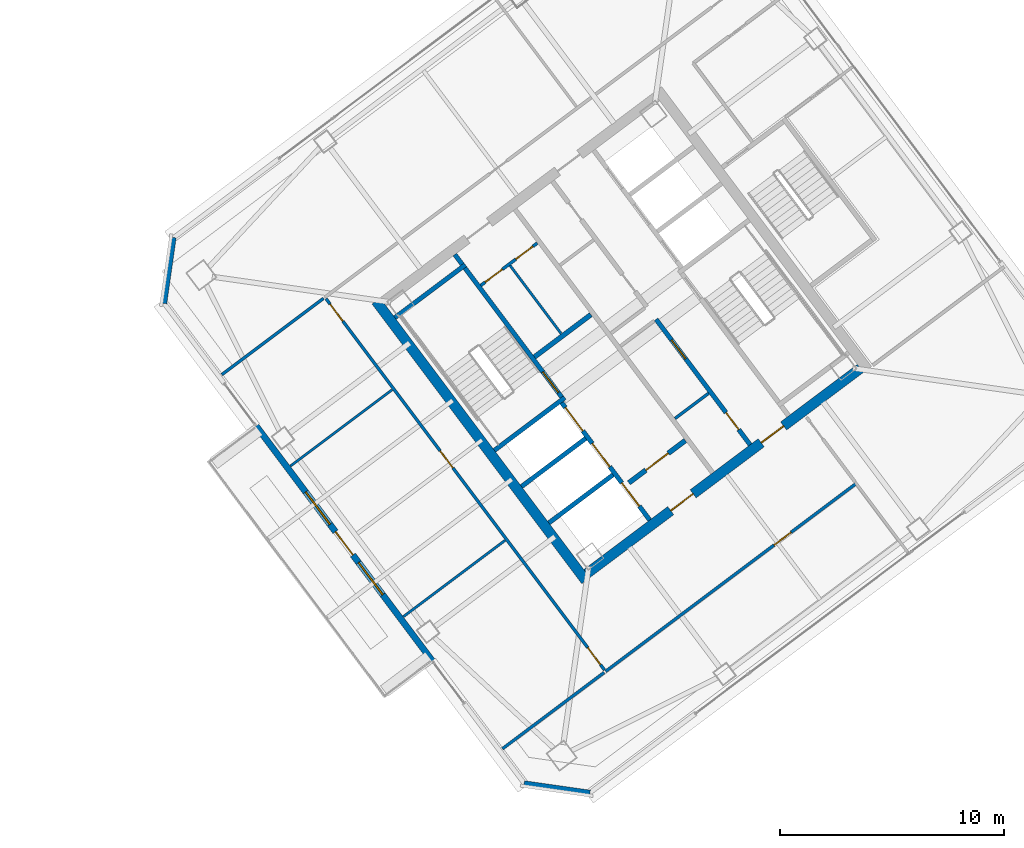
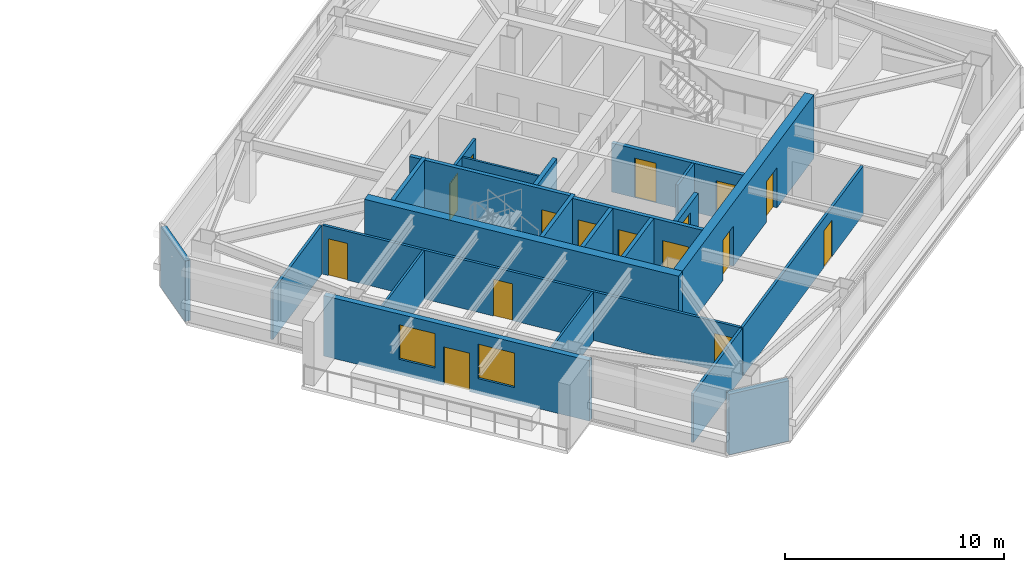
# One storey, part 31 of 39: 23 walls, 16 doors, 2 windows, 18 openings.
"""IFC4 building model written with IfcOpenShell, lengths in metres."""

from ifc_helpers import new_model, si_unit, direction, frame, frame_2d, origin, place, context, subcontext, project, spatial, rectangle, extrude, material, layer, layer_set, type_object, element, fill, save


model = new_model("IFC4")

# Units and contexts
model_context = context("Model", 3, precision=1e-05, world=origin(), true_north=direction((0.0, 1.0)))
body_context = subcontext(model_context, "Body", "Model", "MODEL_VIEW")
ifc_project = project(units=[si_unit("LENGTHUNIT", "METRE"), si_unit("AREAUNIT", "SQUARE_METRE"), si_unit("VOLUMEUNIT", "CUBIC_METRE"), si_unit("PLANEANGLEUNIT", "RADIAN"), si_unit("MASSUNIT", "GRAM", prefix="KILO")], contexts=[model_context])

# Site, building, storey
site_placement = place(None, origin())
site = spatial("IfcSite", under=ifc_project, at=site_placement, CompositionType="ELEMENT")
building_placement = place(site_placement, origin())
building = spatial("IfcBuilding", under=site, at=building_placement, Name="Tashvorn Skyway Center", CompositionType="ELEMENT")
storey_placement = place(building_placement, frame((0.0, 0.0, 225.5)))
storey = spatial("IfcBuildingStorey", under=building, at=storey_placement, Name="L61", CompositionType="ELEMENT", Elevation=225.5)

# Wall
ifc_material_1 = material(Name="Concrete C50/60", Category="concrete")
ifc_layer_1 = layer(ifc_material_1, 0.449951171875)
ifc_layer_set_1 = layer_set([ifc_layer_1], Name="Concrete C50/60")
wall_type_1 = type_object("IfcWallType", Name="WALL-CORE-450", PredefinedType="SHEAR", material=ifc_layer_set_1)
wall_1_placement = place(storey_placement, frame((112.39599609375, 21.047119140625, 0.0), z_axis=(0.0, 0.0, 1.0), x_axis=(-0.600005007985, 0.799996243986, 0.0)))
element("IfcWall", 1, at=wall_1_placement, inside=storey, type_object=wall_type_1, Name="Tower 2 L61 West Core Shear Wall", PredefinedType="SHEAR", context=body_context, shape_type="SweptSolid", body=[
    extrude(rectangle(XDim=15.60009765625, YDim=0.449951171875, at=frame_2d((7.800048828125, 0.0))), origin(), (0.0, 0.0, 1.0), 3.550048828125),
])

# Wall, openings, doors
wall_2_placement = place(storey_placement, frame((124.64892578125, 30.51806640625, 0.0), z_axis=(0.0, 0.0, 1.0), x_axis=(-0.8, -0.6, 0.0)))
wall_2 = element("IfcWall", 2, at=wall_2_placement, inside=storey, type_object=wall_type_1, Name="Tower 2 L61 South Core Shear Wall", PredefinedType="SHEAR", context=body_context, shape_type="SweptSolid", body=[
    extrude(rectangle(XDim=15.260009765625, YDim=0.449951171875, at=frame_2d((7.6298828125, 0.0))), origin(), (0.0, 0.0, 1.0), 3.550048828125),
])
opening_1_placement = place(wall_2_placement, frame((9.330078125, 0.0, 0.0)))
opening_1 = element("IfcOpeningElement", 3, at=opening_1_placement, cuts=wall_2, Name="Opening D-FFL-1250", PredefinedType="OPENING", context=body_context, shape_type="SweptSolid", body=[
    extrude(rectangle(XDim=1.25, YDim=2.25, at=frame_2d((0.625, 1.125))), frame((0.0, 0.23486328125, 0.0), z_axis=(0.0, -1.0, 0.0), x_axis=(1.0, 0.0, 0.0)), (0.0, 0.0, 1.0), 0.469970703125),
])
opening_2_placement = place(wall_2_placement, frame((4.280029296875, 0.0, 0.0)))
opening_2 = element("IfcOpeningElement", 4, at=opening_2_placement, cuts=wall_2, Name="Opening D-FFL-1250", PredefinedType="OPENING", context=body_context, shape_type="SweptSolid", body=[
    extrude(rectangle(XDim=1.25, YDim=2.25, at=frame_2d((0.625, 1.125))), frame((0.0, 0.23486328125, 0.0), z_axis=(0.0, -1.0, 0.0), x_axis=(1.0, 0.0, 0.0)), (0.0, 0.0, 1.0), 0.469970703125),
])
ifc_material_2 = material(Name="Hollow galvanized steel fire door assembly", Category="steel")
door_type_1 = type_object("IfcDoorType", Name="DOOR-FFL-1250", OperationType="NOTDEFINED", PredefinedType="DOOR", material=ifc_material_2)
door_1_placement = place(opening_1_placement, origin())
door_1 = element("IfcDoor", 5, at=door_1_placement, inside=storey, type_object=door_type_1, Name="Tower 2 L61 Core South Firefighting Exit Door", OperationType="SINGLE_SWING_LEFT", OverallHeight=2.25, OverallWidth=1.25, PredefinedType="DOOR", context=body_context, shape_type="SweptSolid", body=[
    extrude(rectangle(XDim=1.25, YDim=2.25, at=frame_2d((0.625, 1.125))), frame((0.0, 0.02490234375, 0.0), z_axis=(0.0, -1.0, 0.0), x_axis=(1.0, 0.0, 0.0)), (0.0, 0.0, 1.0), 0.050048828125),
])
fill(opening_1, door_1)
door_2_placement = place(opening_2_placement, origin())
door_2 = element("IfcDoor", 6, at=door_2_placement, inside=storey, type_object=door_type_1, Name="Tower 2 L61 Core South Lift Lobby Door", OperationType="SINGLE_SWING_RIGHT", OverallHeight=2.25, OverallWidth=1.25, PredefinedType="DOOR", context=body_context, shape_type="SweptSolid", body=[
    extrude(rectangle(XDim=1.25, YDim=2.25, at=frame_2d((0.625, 1.125))), frame((0.0, 0.02490234375, 0.0), z_axis=(0.0, -1.0, 0.0), x_axis=(1.0, 0.0, 0.0)), (0.0, 0.0, 1.0), 0.050048828125),
])
fill(opening_2, door_2)

# Wall, openings, door, windows
ifc_material_3 = material(Name="Precast concrete C40/50", Category="concrete")
ifc_layer_2 = layer(ifc_material_3, 0.280029296875)
ifc_layer_set_2 = layer_set([ifc_layer_2], Name="Precast concrete C40/50")
wall_type_2 = type_object("IfcWallType", Name="WALL-EXT-280", PredefinedType="SOLIDWALL", material=ifc_layer_set_2)
wall_3_placement = place(storey_placement, frame((105.575927734375, 17.431884765625, 0.0), z_axis=(0.0, 0.0, 1.0), x_axis=(-0.599994081423, 0.800004438899, 0.0)))
wall_3 = element("IfcWall", 7, at=wall_3_placement, inside=storey, type_object=wall_type_2, Name="Tower 2 L61 West Sky Garden Loggia Wall", PredefinedType="SOLIDWALL", context=body_context, shape_type="SweptSolid", body=[
    extrude(rectangle(XDim=13.199951171875, YDim=0.280029296875, at=frame_2d((6.60009765625, 0.0))), origin(), (0.0, 0.0, 1.0), 3.3701171875),
])
opening_3_placement = place(wall_3_placement, frame((5.949951171875, 0.0, 0.0)))
opening_3 = element("IfcOpeningElement", 8, at=opening_3_placement, cuts=wall_3, Name="Opening D-TER-1300", PredefinedType="OPENING", context=body_context, shape_type="SweptSolid", body=[
    extrude(rectangle(XDim=1.300048828125, YDim=2.14990234375, at=frame_2d((0.64990234375, 1.074951171875))), frame((0.0, 0.14990234375, 0.0), z_axis=(0.0, -1.0, 0.0), x_axis=(1.0, 0.0, 0.0)), (0.0, 0.0, 1.0), 0.300048828125),
])
opening_4_placement = place(wall_3_placement, frame((3.73193359375, 0.0, 0.85009765625)))
opening_4 = element("IfcOpeningElement", 9, at=opening_4_placement, cuts=wall_3, Name="Opening WIN-1800", PredefinedType="OPENING", context=body_context, shape_type="SweptSolid", body=[
    extrude(rectangle(XDim=1.800048828125, YDim=1.919921875, at=frame_2d((0.89990234375, 0.9599609375))), frame((0.0, 0.14990234375, 0.0), z_axis=(0.0, -1.0, 0.0), x_axis=(1.0, 0.0, 0.0)), (0.0, 0.0, 1.0), 0.300048828125),
])
opening_5_placement = place(wall_3_placement, frame((7.66796875, 0.0, 0.85009765625)))
opening_5 = element("IfcOpeningElement", 10, at=opening_5_placement, cuts=wall_3, Name="Opening WIN-1800", PredefinedType="OPENING", context=body_context, shape_type="SweptSolid", body=[
    extrude(rectangle(XDim=1.800048828125, YDim=1.919921875, at=frame_2d((0.89990234375, 0.9599609375))), frame((0.0, 0.14990234375, 0.0), z_axis=(0.0, -1.0, 0.0), x_axis=(1.0, 0.0, 0.0)), (0.0, 0.0, 1.0), 0.300048828125),
])
ifc_material_4 = material(Name="Thermally broken bronze-anodized aluminium 6063-T6", Category="aluminium")
door_type_2 = type_object("IfcDoorType", Name="DOOR-TERR-1300", OperationType="NOTDEFINED", PredefinedType="DOOR", material=ifc_material_4)
door_3_placement = place(opening_3_placement, origin())
door_3 = element("IfcDoor", 11, at=door_3_placement, inside=storey, type_object=door_type_2, Name="Tower 2 L61 Sky Garden Access Door", OperationType="SINGLE_SWING_RIGHT", OverallHeight=2.14990234375, OverallWidth=1.300048828125, PredefinedType="DOOR", context=body_context, shape_type="SweptSolid", body=[
    extrude(rectangle(XDim=1.300048828125, YDim=2.14990234375, at=frame_2d((0.64990234375, 1.074951171875))), frame((0.0, 0.02490234375, 0.0), z_axis=(0.0, -1.0, 0.0), x_axis=(1.0, 0.0, 0.0)), (0.0, 0.0, 1.0), 0.050048828125),
])
fill(opening_3, door_3)
ifc_material_5 = material(Name="Low-E solar-control double insulating safety glass", Category="glass")
window_type = type_object("IfcWindowType", Name="WIN-TERR-1800", PartitioningType="SINGLE_PANEL", PredefinedType="WINDOW", material=ifc_material_5)
window_1_placement = place(opening_4_placement, origin())
window_1 = element("IfcWindow", 12, at=window_1_placement, inside=storey, type_object=window_type, Name="Tower 2 L61 Sky Garden Window", OverallHeight=1.919921875, OverallWidth=1.800048828125, PartitioningType="SINGLE_PANEL", PredefinedType="WINDOW", context=body_context, shape_type="SweptSolid", body=[
    extrude(rectangle(XDim=1.800048828125, YDim=1.919921875, at=frame_2d((0.89990234375, 0.9599609375))), frame((0.0, 0.030029296875, 0.0), z_axis=(0.0, -1.0, 0.0), x_axis=(1.0, 0.0, 0.0)), (0.0, 0.0, 1.0), 0.06005859375),
])
fill(opening_4, window_1)
window_2_placement = place(opening_5_placement, origin())
window_2 = element("IfcWindow", 13, at=window_2_placement, inside=storey, type_object=window_type, Name="Tower 2 L61 Sky Garden Second Window", OverallHeight=1.919921875, OverallWidth=1.800048828125, PartitioningType="SINGLE_PANEL", PredefinedType="WINDOW", context=body_context, shape_type="SweptSolid", body=[
    extrude(rectangle(XDim=1.800048828125, YDim=1.919921875, at=frame_2d((0.89990234375, 0.9599609375))), frame((0.0, 0.030029296875, 0.0), z_axis=(0.0, -1.0, 0.0), x_axis=(1.0, 0.0, 0.0)), (0.0, 0.0, 1.0), 0.06005859375),
])
fill(opening_5, window_2)

# Walls
for number, where, z_axis, x_axis, name in (
    (14, (112.580078125, 11.56005859375, 0.0), (0.0, 0.0, 1.0), (-0.989954425158, 0.14138683146, 0.0), "Tower 2 L61 SW Precast Chamfer Wall"),
    (15, (93.56005859375, 33.419921875, 0.0), (0.0, 0.0, 1.0), (0.14138683146, 0.989954425158, 0.0), "Tower 2 L61 NW Precast Chamfer Wall"),
):
    element("IfcWall", number, at=place(storey_placement, frame(where, z_axis=z_axis, x_axis=x_axis)), inside=storey, type_object=wall_type_2, Name=name, PredefinedType="SOLIDWALL", context=body_context, shape_type="SweptSolid", body=[
        extrude(rectangle(XDim=2.969970703125, YDim=0.280029296875, at=frame_2d((1.48486328125, 0.0))), origin(), (0.0, 0.0, 1.0), 3.3701171875),
    ])
ifc_material_6 = material(Name="Concrete C40/50", Category="concrete")
ifc_layer_3 = layer(ifc_material_6, 0.219970703125)
ifc_layer_set_3 = layer_set([ifc_layer_3], Name="Concrete C40/50")
wall_type_3 = type_object("IfcWallType", Name="WALL-FFL-220", PredefinedType="SOLIDWALL", material=ifc_layer_set_3)
wall_4_placement = place(storey_placement, frame((110.10400390625, 31.028076171875, 0.0), z_axis=(0.0, 0.0, 1.0), x_axis=(0.800018601094, 0.59997519774, 0.0)))
element("IfcWall", 16, at=wall_4_placement, inside=storey, type_object=wall_type_3, Name="Tower 2 L61 Firefighting Lobby North Wall", PredefinedType="SOLIDWALL", context=body_context, shape_type="SweptSolid", body=[
    extrude(rectangle(XDim=3.14990234375, YDim=0.219970703125, at=frame_2d((1.574951171875, 0.0))), origin(), (0.0, 0.0, 1.0), 2.722900390625),
])

# Wall, opening, door
wall_5_placement = place(storey_placement, frame((114.31591796875, 25.412109375, 0.0), z_axis=(0.0, 0.0, 1.0), x_axis=(0.800018601094, 0.59997519774, 0.0)))
wall_5 = element("IfcWall", 17, at=wall_5_placement, inside=storey, type_object=wall_type_3, Name="Tower 2 L61 Firefighting Lobby South Wall", PredefinedType="SOLIDWALL", context=body_context, shape_type="SweptSolid", body=[
    extrude(rectangle(XDim=3.14990234375, YDim=0.219970703125, at=frame_2d((1.574951171875, 0.0))), origin(), (0.0, 0.0, 1.0), 2.722900390625),
])
opening_6_placement = place(wall_5_placement, frame((0.949951171875, 0.0, 0.0)))
opening_6 = element("IfcOpeningElement", 18, at=opening_6_placement, cuts=wall_5, Name="Opening D-FFL-1250", PredefinedType="OPENING", context=body_context, shape_type="SweptSolid", body=[
    extrude(rectangle(XDim=1.25, YDim=2.25, at=frame_2d((0.625, 1.125))), frame((0.0, 0.119873046875, 0.0), z_axis=(0.0, -1.0, 0.0), x_axis=(1.0, 0.0, 0.0)), (0.0, 0.0, 1.0), 0.239990234375),
])
door_4_placement = place(opening_6_placement, origin())
door_4 = element("IfcDoor", 19, at=door_4_placement, inside=storey, type_object=door_type_1, Name="Tower 2 L61 Firefighting Lobby Egress Door", OperationType="SINGLE_SWING_LEFT", OverallHeight=2.25, OverallWidth=1.25, PredefinedType="DOOR", context=body_context, shape_type="SweptSolid", body=[
    extrude(rectangle(XDim=1.25, YDim=2.25, at=frame_2d((0.625, 1.125))), frame((0.0, 0.02490234375, 0.0), z_axis=(0.0, -1.0, 0.0), x_axis=(1.0, 0.0, 0.0)), (0.0, 0.0, 1.0), 0.050048828125),
])
fill(opening_6, door_4)

# Walls
ifc_material_7 = material(Name="Gypsum board on cold-formed steel stud framing", Category="steel")
ifc_layer_4 = layer(ifc_material_7, 0.110107421875)
ifc_layer_set_4 = layer_set([ifc_layer_4], Name="Gypsum board on cold-formed steel stud framing")
wall_type_4 = type_object("IfcWallType", Name="WALL-PART-110", PredefinedType="PARTITIONING", material=ifc_layer_set_4)
for number, where, z_axis, x_axis, name in (
    (20, (104.256103515625, 19.44189453125, 0.0), (0.0, 0.0, 1.0), (0.799984498661, 0.600020667896, 0.0), "Tower 2 L61 West Suite Partition 1"),
    (21, (99.216064453125, 26.162109375, 0.0), (0.0, 0.0, 1.0), (0.800005167128, 0.599993110434, 0.0), "Tower 2 L61 West Suite Partition 2"),
):
    element("IfcWall", number, at=place(storey_placement, frame(where, z_axis=z_axis, x_axis=x_axis)), inside=storey, type_object=wall_type_4, Name=name, PredefinedType="PARTITIONING", context=body_context, shape_type="SweptSolid", body=[
        extrude(rectangle(XDim=5.669921875, YDim=0.110107421875, at=frame_2d((2.8349609375, 0.0))), origin(), (0.0, 0.0, 1.0), 2.722900390625),
    ])

# Wall, opening, door
ifc_layer_5 = layer(ifc_material_7, 0.135009765625)
ifc_layer_set_5 = layer_set([ifc_layer_5], Name="Gypsum board on cold-formed steel stud framing")
wall_type_5 = type_object("IfcWallType", Name="WALL-PART-135", PredefinedType="PARTITIONING", material=ifc_layer_set_5)
wall_6_placement = place(storey_placement, frame((124.4619140625, 25.384033203125, 0.0), z_axis=(0.0, 0.0, 1.0), x_axis=(-0.799997904343, -0.6000027942, 0.0)))
wall_6 = element("IfcWall", 22, at=wall_6_placement, inside=storey, type_object=wall_type_5, Name="Tower 2 L61 South Suite Wall", PredefinedType="PARTITIONING", context=body_context, shape_type="SweptSolid", body=[
    extrude(rectangle(XDim=13.979736328125, YDim=0.135009765625, at=frame_2d((6.98974609375, 0.0))), origin(), (0.0, 0.0, 1.0), 2.722900390625),
])
opening_7_placement = place(wall_6_placement, frame((3.63525390625, 0.0, 0.0)))
opening_7 = element("IfcOpeningElement", 23, at=opening_7_placement, cuts=wall_6, Name="Opening D-INT-950", PredefinedType="OPENING", context=body_context, shape_type="SweptSolid", body=[
    extrude(rectangle(XDim=0.949951171875, YDim=2.050048828125, at=frame_2d((0.47509765625, 1.02490234375))), frame((0.0, 0.077392578125, 0.0), z_axis=(0.0, -1.0, 0.0), x_axis=(1.0, 0.0, 0.0)), (0.0, 0.0, 1.0), 0.155029296875),
])
ifc_material_8 = material(Name="Solid-core architectural oak veneer door")
door_type_3 = type_object("IfcDoorType", Name="DOOR-INT-950", OperationType="NOTDEFINED", PredefinedType="DOOR", material=ifc_material_8)
door_5_placement = place(opening_7_placement, origin())
door_5 = element("IfcDoor", 24, at=door_5_placement, inside=storey, type_object=door_type_3, Name="Tower 2 L61 Wellness Clinic Door", OperationType="SINGLE_SWING_LEFT", OverallHeight=2.050048828125, OverallWidth=0.949951171875, PredefinedType="DOOR", context=body_context, shape_type="SweptSolid", body=[
    extrude(rectangle(XDim=0.949951171875, YDim=2.050048828125, at=frame_2d((0.47509765625, 1.02490234375))), frame((0.0, 0.02490234375, 0.0), z_axis=(0.0, -1.0, 0.0), x_axis=(1.0, 0.0, 0.0)), (0.0, 0.0, 1.0), 0.050048828125),
])
fill(opening_7, door_5)

# Wall, openings, doors
wall_7_placement = place(storey_placement, frame((113.22998046875, 17.06005859375, 0.0), z_axis=(0.0, 0.0, 1.0), x_axis=(-0.600003772342, 0.79999717073, 0.0)))
wall_7 = element("IfcWall", 25, at=wall_7_placement, inside=storey, type_object=wall_type_5, Name="Tower 2 L61 West Inner Suite Wall", PredefinedType="PARTITIONING", context=body_context, shape_type="SweptSolid", body=[
    extrude(rectangle(XDim=20.7099609375, YDim=0.135009765625, at=frame_2d((10.35498046875, 0.0))), origin(), (0.0, 0.0, 1.0), 2.722900390625),
])
opening_8_placement = place(wall_7_placement, frame((0.300048828125, 0.0, 0.0)))
opening_8 = element("IfcOpeningElement", 26, at=opening_8_placement, cuts=wall_7, Name="Opening D-INT-950", PredefinedType="OPENING", context=body_context, shape_type="SweptSolid", body=[
    extrude(rectangle(XDim=0.949951171875, YDim=2.050048828125, at=frame_2d((0.47509765625, 1.02490234375))), frame((0.0, 0.077392578125, 0.0), z_axis=(0.0, -1.0, 0.0), x_axis=(1.0, 0.0, 0.0)), (0.0, 0.0, 1.0), 0.155029296875),
])
opening_9_placement = place(wall_7_placement, frame((11.272216796875, 0.0, 0.0)))
opening_9 = element("IfcOpeningElement", 27, at=opening_9_placement, cuts=wall_7, Name="Opening D-INT-950", PredefinedType="OPENING", context=body_context, shape_type="SweptSolid", body=[
    extrude(rectangle(XDim=0.949951171875, YDim=2.050048828125, at=frame_2d((0.47509765625, 1.02490234375))), frame((0.0, 0.077392578125, 0.0), z_axis=(0.0, -1.0, 0.0), x_axis=(1.0, 0.0, 0.0)), (0.0, 0.0, 1.0), 0.155029296875),
])
opening_10_placement = place(wall_7_placement, frame((19.4599609375, 0.0, 0.0)))
opening_10 = element("IfcOpeningElement", 28, at=opening_10_placement, cuts=wall_7, Name="Opening D-INT-950", PredefinedType="OPENING", context=body_context, shape_type="SweptSolid", body=[
    extrude(rectangle(XDim=0.949951171875, YDim=2.050048828125, at=frame_2d((0.47509765625, 1.02490234375))), frame((0.0, 0.077392578125, 0.0), z_axis=(0.0, -1.0, 0.0), x_axis=(1.0, 0.0, 0.0)), (0.0, 0.0, 1.0), 0.155029296875),
])
door_6_placement = place(opening_8_placement, origin())
door_6 = element("IfcDoor", 29, at=door_6_placement, inside=storey, type_object=door_type_3, Name="Tower 2 L61 Public Restroom Door", OperationType="SINGLE_SWING_LEFT", OverallHeight=2.050048828125, OverallWidth=0.949951171875, PredefinedType="DOOR", context=body_context, shape_type="SweptSolid", body=[
    extrude(rectangle(XDim=0.949951171875, YDim=2.050048828125, at=frame_2d((0.47509765625, 1.02490234375))), frame((0.0, 0.02490234375, 0.0), z_axis=(0.0, -1.0, 0.0), x_axis=(1.0, 0.0, 0.0)), (0.0, 0.0, 1.0), 0.050048828125),
])
fill(opening_8, door_6)
door_7_placement = place(opening_9_placement, origin())
door_7 = element("IfcDoor", 30, at=door_7_placement, inside=storey, type_object=door_type_3, Name="Tower 2 L61 Wellness Clinic Door", OperationType="SINGLE_SWING_RIGHT", OverallHeight=2.050048828125, OverallWidth=0.949951171875, PredefinedType="DOOR", context=body_context, shape_type="SweptSolid", body=[
    extrude(rectangle(XDim=0.949951171875, YDim=2.050048828125, at=frame_2d((0.47509765625, 1.02490234375))), frame((0.0, 0.02490234375, 0.0), z_axis=(0.0, -1.0, 0.0), x_axis=(1.0, 0.0, 0.0)), (0.0, 0.0, 1.0), 0.050048828125),
])
fill(opening_9, door_7)
door_8_placement = place(opening_10_placement, origin())
door_8 = element("IfcDoor", 31, at=door_8_placement, inside=storey, type_object=door_type_3, Name="Tower 2 L61 Corporate Office Door", OperationType="SINGLE_SWING_LEFT", OverallHeight=2.050048828125, OverallWidth=0.949951171875, PredefinedType="DOOR", context=body_context, shape_type="SweptSolid", body=[
    extrude(rectangle(XDim=0.949951171875, YDim=2.050048828125, at=frame_2d((0.47509765625, 1.02490234375))), frame((0.0, 0.02490234375, 0.0), z_axis=(0.0, -1.0, 0.0), x_axis=(1.0, 0.0, 0.0)), (0.0, 0.0, 1.0), 0.050048828125),
])
fill(opening_10, door_8)

# Walls
wall_8_placement = place(storey_placement, frame((100.69189453125, 33.64404296875, 0.0), z_axis=(0.0, 0.0, 1.0), x_axis=(-0.799984498661, -0.600020667896, 0.0)))
element("IfcWall", 32, at=wall_8_placement, inside=storey, type_object=wall_type_5, Name="Tower 2 L61 West Suite North Wall", PredefinedType="PARTITIONING", context=body_context, shape_type="SweptSolid", body=[
    extrude(rectangle(XDim=5.669921875, YDim=0.135009765625, at=frame_2d((2.8349609375, 0.0))), origin(), (0.0, 0.0, 1.0), 2.722900390625),
])
wall_9_placement = place(storey_placement, frame((108.677978515625, 13.5458984375, 0.0), z_axis=(0.0, 0.0, 1.0), x_axis=(0.8, 0.6, 0.0)))
element("IfcWall", 33, at=wall_9_placement, inside=storey, type_object=wall_type_5, Name="Tower 2 L61 West Suite South Wall", PredefinedType="PARTITIONING", context=body_context, shape_type="SweptSolid", body=[
    extrude(rectangle(XDim=5.670166015625, YDim=0.135009765625, at=frame_2d((2.8349609375, 0.0))), origin(), (0.0, 0.0, 1.0), 2.722900390625),
])
ifc_layer_6 = layer(ifc_material_7, 0.110107421875)
ifc_layer_set_6 = layer_set([ifc_layer_6], Name="Gypsum board on cold-formed steel stud framing")
wall_type_6 = type_object("IfcWallType", Name="WALL-RATED-110", PredefinedType="PARTITIONING", material=ifc_layer_set_6)
wall_10_placement = place(storey_placement, frame((111.2958984375, 32.072021484375, 0.0), z_axis=(0.0, 0.0, 1.0), x_axis=(-0.59995887973, 0.800030838552, 0.0)))
element("IfcWall", 34, at=wall_10_placement, inside=storey, type_object=wall_type_6, Name="Tower 2 L61 Core Split Partition", PredefinedType="PARTITIONING", context=body_context, shape_type="SweptSolid", body=[
    extrude(rectangle(XDim=3.7998046875, YDim=0.110107421875, at=frame_2d((1.89990234375, 0.0))), origin(), (0.0, 0.0, 1.0), 2.722900390625),
])

# Wall, openings, doors
ifc_layer_7 = layer(ifc_material_7, 0.135009765625)
ifc_layer_set_7 = layer_set([ifc_layer_7], Name="Gypsum board on cold-formed steel stud framing")
wall_type_7 = type_object("IfcWallType", Name="WALL-RATED-135", PredefinedType="PARTITIONING", material=ifc_layer_set_7)
wall_11_placement = place(storey_placement, frame((107.7099609375, 34.219970703125, 0.0), z_axis=(0.0, 0.0, 1.0), x_axis=(0.799981399002, 0.60002480053, 0.0)))
wall_11 = element("IfcWall", 35, at=wall_11_placement, inside=storey, type_object=wall_type_7, Name="Tower 2 L61 Core Service Lobby Wall", PredefinedType="PARTITIONING", context=body_context, shape_type="SweptSolid", body=[
    extrude(rectangle(XDim=3.150146484375, YDim=0.135009765625, at=frame_2d((1.5751953125, 0.0))), origin(), (0.0, 0.0, 1.0), 2.722900390625),
])
opening_11_placement = place(wall_11_placement, frame((0.25, 0.0, 0.0)))
opening_11 = element("IfcOpeningElement", 36, at=opening_11_placement, cuts=wall_11, Name="Opening D-RT-950", PredefinedType="OPENING", context=body_context, shape_type="SweptSolid", body=[
    extrude(rectangle(XDim=0.949951171875, YDim=2.050048828125, at=frame_2d((0.47509765625, 1.02490234375))), frame((0.0, 0.077392578125, 0.0), z_axis=(0.0, -1.0, 0.0), x_axis=(1.0, 0.0, 0.0)), (0.0, 0.0, 1.0), 0.155029296875),
])
opening_12_placement = place(wall_11_placement, frame((1.949951171875, 0.0, 0.0)))
opening_12 = element("IfcOpeningElement", 37, at=opening_12_placement, cuts=wall_11, Name="Opening D-RT-950", PredefinedType="OPENING", context=body_context, shape_type="SweptSolid", body=[
    extrude(rectangle(XDim=0.949951171875, YDim=2.050048828125, at=frame_2d((0.47509765625, 1.02490234375))), frame((0.0, 0.077392578125, 0.0), z_axis=(0.0, -1.0, 0.0), x_axis=(1.0, 0.0, 0.0)), (0.0, 0.0, 1.0), 0.155029296875),
])
door_type_4 = type_object("IfcDoorType", Name="DOOR-RATED-950", OperationType="NOTDEFINED", PredefinedType="DOOR", material=ifc_material_2)
door_9_placement = place(opening_11_placement, origin())
door_9 = element("IfcDoor", 38, at=door_9_placement, inside=storey, type_object=door_type_4, Name="Tower 2 L61 Core Accessible WC Door", OperationType="SINGLE_SWING_LEFT", OverallHeight=2.050048828125, OverallWidth=0.949951171875, PredefinedType="DOOR", context=body_context, shape_type="SweptSolid", body=[
    extrude(rectangle(XDim=0.949951171875, YDim=2.050048828125, at=frame_2d((0.47509765625, 1.02490234375))), frame((0.0, 0.02490234375, 0.0), z_axis=(0.0, -1.0, 0.0), x_axis=(1.0, 0.0, 0.0)), (0.0, 0.0, 1.0), 0.050048828125),
])
fill(opening_11, door_9)
door_10_placement = place(opening_12_placement, origin())
door_10 = element("IfcDoor", 39, at=door_10_placement, inside=storey, type_object=door_type_4, Name="Tower 2 L61 Core Cleaner Store Door", OperationType="SINGLE_SWING_RIGHT", OverallHeight=2.050048828125, OverallWidth=0.949951171875, PredefinedType="DOOR", context=body_context, shape_type="SweptSolid", body=[
    extrude(rectangle(XDim=0.949951171875, YDim=2.050048828125, at=frame_2d((0.47509765625, 1.02490234375))), frame((0.0, 0.02490234375, 0.0), z_axis=(0.0, -1.0, 0.0), x_axis=(1.0, 0.0, 0.0)), (0.0, 0.0, 1.0), 0.050048828125),
])
fill(opening_12, door_10)

# Walls
wall_12_placement = place(storey_placement, frame((116.3759765625, 28.281982421875, 0.0), z_axis=(0.0, 0.0, 1.0), x_axis=(0.8, 0.6, 0.0)))
element("IfcWall", 40, at=wall_12_placement, inside=storey, type_object=wall_type_7, Name="Tower 2 L61 Freed Core Partition", PredefinedType="PARTITIONING", context=body_context, shape_type="SweptSolid", body=[
    extrude(rectangle(XDim=1.8798828125, YDim=0.135009765625, at=frame_2d((0.93994140625, 0.0))), origin(), (0.0, 0.0, 1.0), 2.722900390625),
])
ifc_layer_8 = layer(ifc_material_6, 0.199951171875)
ifc_layer_set_8 = layer_set([ifc_layer_8], Name="Concrete C40/50")
wall_type_8 = type_object("IfcWallType", Name="WALL-SHAFT-200", PredefinedType="SOLIDWALL", material=ifc_layer_set_8)
for number, where, z_axis, x_axis, name in (
    (41, (110.74609375, 23.6220703125, 0.0), (0.0, 0.0, 1.0), (0.800008183455, 0.599989088572, 0.0), "Tower 2 L61 FSAE Shaft Divider"),
    (42, (109.528076171875, 25.24609375, 0.0), (0.0, 0.0, 1.0), (0.800008183455, 0.599989088572, 0.0), "Tower 2 L61 FSAE Shaft Divider"),
):
    element("IfcWall", number, at=place(storey_placement, frame(where, z_axis=z_axis, x_axis=x_axis)), inside=storey, type_object=wall_type_8, Name=name, PredefinedType="SOLIDWALL", context=body_context, shape_type="SweptSolid", body=[
        extrude(rectangle(XDim=3.580078125, YDim=0.199951171875, at=frame_2d((1.7900390625, 0.0))), origin(), (0.0, 0.0, 1.0), 3.3701171875),
    ])

# Wall, openings, doors
wall_13_placement = place(storey_placement, frame((119.72998046875, 27.110107421875, 0.0), z_axis=(0.0, 0.0, 1.0), x_axis=(-0.600005580459, 0.799995814625, 0.0)))
wall_13 = element("IfcWall", 43, at=wall_13_placement, inside=storey, type_object=wall_type_8, Name="Tower 2 L61 Low-Rise Core Wall", PredefinedType="SOLIDWALL", context=body_context, shape_type="SweptSolid", body=[
    extrude(rectangle(XDim=6.999755859375, YDim=0.199951171875, at=frame_2d((3.5, 0.0))), origin(), (0.0, 0.0, 1.0), 2.722900390625),
])
opening_13_placement = place(wall_13_placement, frame((0.85009765625, 0.0, 0.0)))
opening_13 = element("IfcOpeningElement", 44, at=opening_13_placement, cuts=wall_13, Name="Opening D-RT-950", PredefinedType="OPENING", context=body_context, shape_type="SweptSolid", body=[
    extrude(rectangle(XDim=0.949951171875, YDim=2.050048828125, at=frame_2d((0.47509765625, 1.02490234375))), frame((0.0, 0.10986328125, 0.0), z_axis=(0.0, -1.0, 0.0), x_axis=(1.0, 0.0, 0.0)), (0.0, 0.0, 1.0), 0.219970703125),
])
opening_14_placement = place(wall_13_placement, frame((4.800048828125, 0.0, 0.0)))
opening_14 = element("IfcOpeningElement", 45, at=opening_14_placement, cuts=wall_13, Name="Opening D-RT-1050", PredefinedType="OPENING", context=body_context, shape_type="SweptSolid", body=[
    extrude(rectangle(XDim=1.050048828125, YDim=2.199951171875, at=frame_2d((0.52490234375, 1.10009765625))), frame((0.0, 0.10986328125, 0.0), z_axis=(0.0, -1.0, 0.0), x_axis=(1.0, 0.0, 0.0)), (0.0, 0.0, 1.0), 0.219970703125),
])
door_type_5 = type_object("IfcDoorType", Name="DOOR-RATED-1050", OperationType="NOTDEFINED", PredefinedType="DOOR", material=ifc_material_2)
door_11_placement = place(opening_14_placement, origin())
door_11 = element("IfcDoor", 46, at=door_11_placement, inside=storey, type_object=door_type_5, Name="Tower 2 L61 Freed Core Room Door", OperationType="SINGLE_SWING_RIGHT", OverallHeight=2.199951171875, OverallWidth=1.050048828125, PredefinedType="DOOR", context=body_context, shape_type="SweptSolid", body=[
    extrude(rectangle(XDim=1.050048828125, YDim=2.199951171875, at=frame_2d((0.52490234375, 1.10009765625))), frame((0.0, 0.02490234375, 0.0), z_axis=(0.0, -1.0, 0.0), x_axis=(1.0, 0.0, 0.0)), (0.0, 0.0, 1.0), 0.050048828125),
])
fill(opening_14, door_11)
door_12_placement = place(opening_13_placement, origin())
door_12 = element("IfcDoor", 47, at=door_12_placement, inside=storey, type_object=door_type_4, Name="Tower 2 L61 Core Print Room Door", OperationType="SINGLE_SWING_LEFT", OverallHeight=2.050048828125, OverallWidth=0.949951171875, PredefinedType="DOOR", context=body_context, shape_type="SweptSolid", body=[
    extrude(rectangle(XDim=0.949951171875, YDim=2.050048828125, at=frame_2d((0.47509765625, 1.02490234375))), frame((0.0, 0.02490234375, 0.0), z_axis=(0.0, -1.0, 0.0), x_axis=(1.0, 0.0, 0.0)), (0.0, 0.0, 1.0), 0.050048828125),
])
fill(opening_13, door_12)

# Wall, opening, door
ifc_layer_9 = layer(ifc_material_6, 0.199951171875)
ifc_layer_set_9 = layer_set([ifc_layer_9], Name="Concrete C40/50")
wall_type_9 = type_object("IfcWallType", Name="WALL-STSHF-200", PredefinedType="SHEAR", material=ifc_layer_set_9)
wall_14_placement = place(storey_placement, frame((111.43994140625, 29.080078125, 0.0), z_axis=(0.0, 0.0, 1.0), x_axis=(-0.59999041401, 0.800007189403, 0.0)))
wall_14 = element("IfcWall", 48, at=wall_14_placement, inside=storey, type_object=wall_type_9, Name="Tower 2 L61 Stair 1 Enclosure Wall", PredefinedType="SHEAR", context=body_context, shape_type="SweptSolid", body=[
    extrude(rectangle(XDim=8.14990234375, YDim=0.199951171875, at=frame_2d((4.074951171875, 0.0))), origin(), (0.0, 0.0, 1.0), 3.3701171875),
])
opening_15_placement = place(wall_14_placement, frame((0.449951171875, 0.0, 0.0)))
opening_15 = element("IfcOpeningElement", 49, at=opening_15_placement, cuts=wall_14, Name="Opening D-ST-1150", PredefinedType="OPENING", context=body_context, shape_type="SweptSolid", body=[
    extrude(rectangle(XDim=1.14990234375, YDim=2.199951171875, at=frame_2d((0.574951171875, 1.10009765625))), frame((0.0, 0.10986328125, 0.0), z_axis=(0.0, -1.0, 0.0), x_axis=(1.0, 0.0, 0.0)), (0.0, 0.0, 1.0), 0.219970703125),
])
door_type_6 = type_object("IfcDoorType", Name="DOOR-STAIR-1150", OperationType="NOTDEFINED", PredefinedType="DOOR", material=ifc_material_2)
door_13_placement = place(opening_15_placement, origin())
door_13 = element("IfcDoor", 50, at=door_13_placement, inside=storey, type_object=door_type_6, Name="Tower 2 L61 Exit Stair 1 Door", OperationType="SINGLE_SWING_RIGHT", OverallHeight=2.199951171875, OverallWidth=1.14990234375, PredefinedType="DOOR", context=body_context, shape_type="SweptSolid", body=[
    extrude(rectangle(XDim=1.14990234375, YDim=2.199951171875, at=frame_2d((0.574951171875, 1.10009765625))), frame((0.0, 0.02490234375, 0.0), z_axis=(0.0, -1.0, 0.0), x_axis=(1.0, 0.0, 0.0)), (0.0, 0.0, 1.0), 0.050048828125),
])
fill(opening_15, door_13)

# Walls
for number, where, z_axis, x_axis, name in (
    (51, (108.31591796875, 26.862060546875, 0.0), (0.0, 0.0, 1.0), (0.800014909178, 0.599980120581, 0.0), "Tower 2 L61 Stair 1 South Wall"),
    (52, (103.8759765625, 32.781982421875, 0.0), (0.0, 0.0, 1.0), (0.800014909178, 0.599980120581, 0.0), "Tower 2 L61 Stair 1 North Wall"),
):
    element("IfcWall", number, at=place(storey_placement, frame(where, z_axis=z_axis, x_axis=x_axis)), inside=storey, type_object=wall_type_9, Name=name, PredefinedType="SHEAR", context=body_context, shape_type="SweptSolid", body=[
        extrude(rectangle(XDim=3.929931640625, YDim=0.199951171875, at=frame_2d((1.96484375, 0.0))), origin(), (0.0, 0.0, 1.0), 3.3701171875),
    ])

# Wall, openings, doors
wall_15_placement = place(storey_placement, frame((115.25, 23.75, 0.0), z_axis=(0.0, 0.0, 1.0), x_axis=(-0.599994036198, 0.800004472816, 0.0)))
wall_15 = element("IfcWall", 53, at=wall_15_placement, inside=storey, type_object=wall_type_9, Name="Tower 2 L61 FSAE and Goods Shaft Front Wall", PredefinedType="SHEAR", context=body_context, shape_type="SweptSolid", body=[
    extrude(rectangle(XDim=6.550048828125, YDim=0.199951171875, at=frame_2d((3.27490234375, 0.0))), origin(), (0.0, 0.0, 1.0), 3.3701171875),
])
opening_16_placement = place(wall_15_placement, frame((4.97509765625, 0.0, 0.0)))
opening_16 = element("IfcOpeningElement", 54, at=opening_16_placement, cuts=wall_15, Name="Opening LD-FF-T2-1-L61", PredefinedType="OPENING", context=body_context, shape_type="SweptSolid", body=[
    extrude(rectangle(XDim=1.300048828125, YDim=2.25, at=frame_2d((0.64990234375, 1.125))), frame((0.0, 0.10986328125, 0.0), z_axis=(0.0, -1.0, 0.0), x_axis=(1.0, 0.0, 0.0)), (0.0, 0.0, 1.0), 0.219970703125),
])
opening_17_placement = place(wall_15_placement, frame((2.97509765625, 0.0, 0.0)))
opening_17 = element("IfcOpeningElement", 55, at=opening_17_placement, cuts=wall_15, Name="Opening LD-FF-T2-2-L61", PredefinedType="OPENING", context=body_context, shape_type="SweptSolid", body=[
    extrude(rectangle(XDim=1.300048828125, YDim=2.25, at=frame_2d((0.64990234375, 1.125))), frame((0.0, 0.10986328125, 0.0), z_axis=(0.0, -1.0, 0.0), x_axis=(1.0, 0.0, 0.0)), (0.0, 0.0, 1.0), 0.219970703125),
])
opening_18_placement = place(wall_15_placement, frame((0.77490234375, 0.0, 0.0)))
opening_18 = element("IfcOpeningElement", 56, at=opening_18_placement, cuts=wall_15, Name="Opening LD-GD-T2-1-L61", PredefinedType="OPENING", context=body_context, shape_type="SweptSolid", body=[
    extrude(rectangle(XDim=1.300048828125, YDim=2.25, at=frame_2d((0.64990234375, 1.125))), frame((0.0, 0.10986328125, 0.0), z_axis=(0.0, -1.0, 0.0), x_axis=(1.0, 0.0, 0.0)), (0.0, 0.0, 1.0), 0.219970703125),
])
ifc_material_9 = material(Name="Stainless steel heavy-duty landing door", Category="steel")
door_type_7 = type_object("IfcDoorType", Name="DOOR-LIFT-1300", OperationType="SLIDING_TO_LEFT", PredefinedType="DOOR", material=ifc_material_9)
door_14_placement = place(opening_16_placement, origin())
door_14 = element("IfcDoor", 57, at=door_14_placement, inside=storey, type_object=door_type_7, Name="Lift FF-T2-1 L61 Landing Door", OperationType="SLIDING_TO_LEFT", OverallHeight=2.25, OverallWidth=1.300048828125, PredefinedType="DOOR", context=body_context, shape_type="SweptSolid", body=[
    extrude(rectangle(XDim=1.300048828125, YDim=2.25, at=frame_2d((0.64990234375, 1.125))), frame((0.0, 0.02490234375, 0.0), z_axis=(0.0, -1.0, 0.0), x_axis=(1.0, 0.0, 0.0)), (0.0, 0.0, 1.0), 0.050048828125),
])
fill(opening_16, door_14)
door_15_placement = place(opening_17_placement, origin())
door_15 = element("IfcDoor", 58, at=door_15_placement, inside=storey, type_object=door_type_7, Name="Lift FF-T2-2 L61 Landing Door", OperationType="SLIDING_TO_LEFT", OverallHeight=2.25, OverallWidth=1.300048828125, PredefinedType="DOOR", context=body_context, shape_type="SweptSolid", body=[
    extrude(rectangle(XDim=1.300048828125, YDim=2.25, at=frame_2d((0.64990234375, 1.125))), frame((0.0, 0.02490234375, 0.0), z_axis=(0.0, -1.0, 0.0), x_axis=(1.0, 0.0, 0.0)), (0.0, 0.0, 1.0), 0.050048828125),
])
fill(opening_17, door_15)
door_16_placement = place(opening_18_placement, origin())
door_16 = element("IfcDoor", 59, at=door_16_placement, inside=storey, type_object=door_type_7, Name="Lift GD-T2-1 L61 Landing Door", OperationType="SLIDING_TO_LEFT", OverallHeight=2.25, OverallWidth=1.300048828125, PredefinedType="DOOR", context=body_context, shape_type="SweptSolid", body=[
    extrude(rectangle(XDim=1.300048828125, YDim=2.25, at=frame_2d((0.64990234375, 1.125))), frame((0.0, 0.02490234375, 0.0), z_axis=(0.0, -1.0, 0.0), x_axis=(1.0, 0.0, 0.0)), (0.0, 0.0, 1.0), 0.050048828125),
])
fill(opening_18, door_16)

save(model, "model.ifc")
